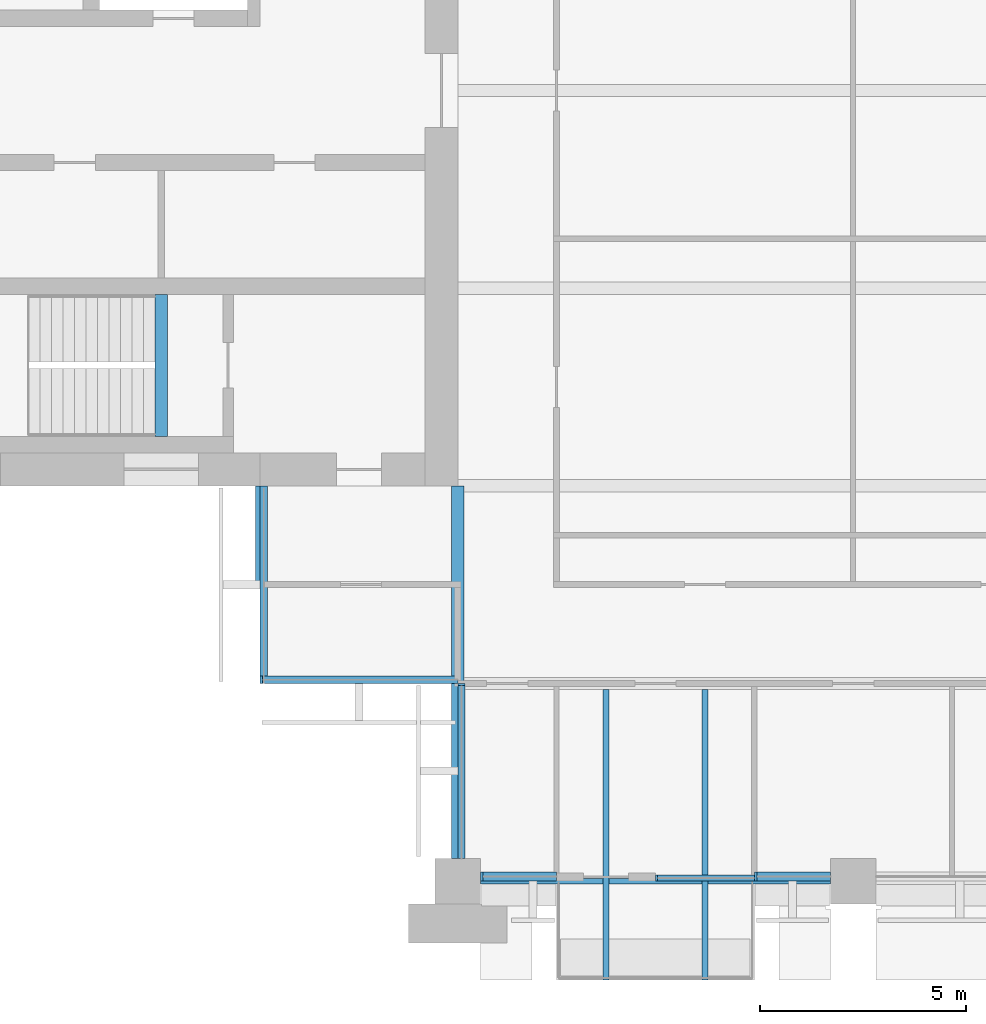
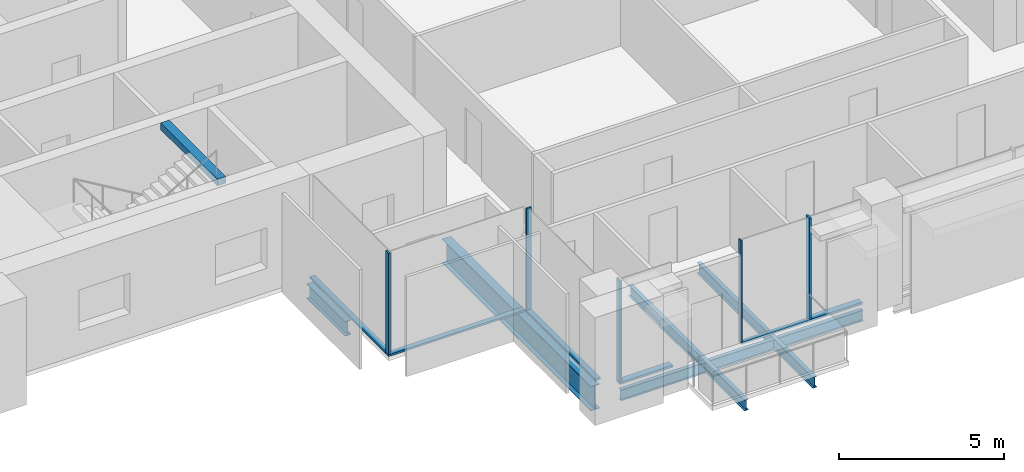
# One storey, part 2 of 14: 11 members, 8 beams, 6 elements without a shape of their own.
"""IFC4 building model written with IfcOpenShell, lengths in metres."""

from ifc_helpers import new_model, si_unit, direction, frame, origin, origin_2d, place, context, subcontext, project, spatial, rectangle, i_section, extrude, material, material_profile, profile_set, type_object, element, aggregate, save


model = new_model("IFC4")

# Units and contexts
model_context = context("Model", 3, precision=1e-05, world=origin(), true_north=direction((0.0, 1.0)))
body_context = subcontext(model_context, "Body", "Model", "MODEL_VIEW")
ifc_project = project(units=[si_unit("LENGTHUNIT", "METRE"), si_unit("AREAUNIT", "SQUARE_METRE"), si_unit("VOLUMEUNIT", "CUBIC_METRE"), si_unit("PLANEANGLEUNIT", "RADIAN"), si_unit("MASSUNIT", "GRAM", prefix="KILO")], contexts=[model_context])

# Site, building, storey
site_placement = place(None, origin())
site = spatial("IfcSite", under=ifc_project, at=site_placement, CompositionType="ELEMENT")
building_placement = place(site_placement, origin())
building = spatial("IfcBuilding", under=site, at=building_placement, Name="Baori Bourse Tower", CompositionType="ELEMENT")
storey_placement = place(building_placement, frame((0.0, 0.0, 233.199951171875)))
storey = spatial("IfcBuildingStorey", under=building, at=storey_placement, Name="L51", CompositionType="ELEMENT", Elevation=233.199951171875)

# Beams
ifc_material_1 = material(Name="Steel A992 Gr 50", Category="steel")
ifc_material_profile_1 = material_profile(ifc_material_1, i_section(OverallWidth=0.140380859375, OverallDepth=0.40380859375, WebThickness=0.007080078125, FlangeThickness=0.01123046875, at=origin_2d()), Name="W16x31")
ifc_profile_set_1 = profile_set([ifc_material_profile_1], Name="Steel A992 Gr 50")
beam_type_1 = type_object("IfcBeamType", Name="Balcony beam W16x31", PredefinedType="BEAM", material=ifc_profile_set_1)
for number, where, z_axis, x_axis, name in (
    (1, (22.800048828125, -2.39990234375, -0.36181640625), (0.0, 1.0, 0.0), (-1.0, 0.0, 0.0), "Balcony beam L51"),
    (2, (25.199951171875, -2.39990234375, -0.36181640625), (0.0, 1.0, 0.0), (-1.0, 0.0, 0.0), "Balcony beam L51"),
):
    element("IfcBeam", number, at=place(storey_placement, frame(where, z_axis=z_axis, x_axis=x_axis)), inside=storey, type_object=beam_type_1, Name=name, PredefinedType="BEAM", context=body_context, shape_type="SweptSolid", body=[
        extrude(i_section(OverallWidth=0.140380859375, OverallDepth=0.40380859375, WebThickness=0.007080078125, FlangeThickness=0.01123046875, at=origin_2d()), origin(), (0.0, 0.0, 1.0), 7.050048828125),
    ])

# Curtain wall, member
ifc_material_2 = material(Name="Pale anodised aluminium", Category="aluminium")
curtain_wall_type_1 = type_object("IfcCurtainWallType", Name="CW2 Curtain wall", PredefinedType="NOTDEFINED", material=ifc_material_2)
curtain_wall_1_placement = place(storey_placement, origin())
curtain_wall_1 = element("IfcCurtainWall", 3, at=curtain_wall_1_placement, inside=storey, type_object=curtain_wall_type_1, Name="Curtain wall CW2 L51 11", PredefinedType="NOTDEFINED")
ifc_material_3 = material(Name="Pale anodised aluminium", Category="aluminium")
ifc_material_profile_2 = material_profile(ifc_material_3, rectangle(XDim=0.179931640625, YDim=0.054931640625, at=origin_2d()), Name="Mullion 55x180")
ifc_profile_set_2 = profile_set([ifc_material_profile_2], Name="Pale anodised aluminium")
member_type_1 = type_object("IfcMemberType", Name="CW2 Curtain wall mullion", PredefinedType="MULLION", material=ifc_profile_set_2)
member_1_placement = place(storey_placement, frame((14.427490234375, 4.889892578125, 0.070068359375), z_axis=(0.0, 0.0, 1.0), x_axis=(0.0, 1.0, 0.0)))
member_1 = element("IfcMember", 4, at=member_1_placement, type_object=member_type_1, Name="Curtain wall CW2 mullion", PredefinedType="MULLION", context=body_context, shape_type="SweptSolid", body=[
    extrude(rectangle(XDim=0.179931640625, YDim=0.054931640625, at=origin_2d()), origin(), (0.0, 0.0, 1.0), 3.77001953125),
])

curtain_wall_2_placement = place(storey_placement, origin())
curtain_wall_2 = element("IfcCurtainWall", 5, at=curtain_wall_2_placement, inside=storey, type_object=curtain_wall_type_1, Name="Curtain wall CW2 L51 12", PredefinedType="NOTDEFINED")
member_2_placement = place(storey_placement, frame((19.2900390625, 4.7724609375, 0.070068359375), z_axis=(0.0, 0.0, 1.0), x_axis=(1.0, 0.0, 0.0)))
member_2 = element("IfcMember", 6, at=member_2_placement, type_object=member_type_1, Name="Curtain wall CW2 mullion", PredefinedType="MULLION", context=body_context, shape_type="SweptSolid", body=[
    extrude(rectangle(XDim=0.179931640625, YDim=0.054931640625, at=origin_2d()), origin(), (0.0, 0.0, 1.0), 3.77001953125),
])

curtain_wall_3_placement = place(storey_placement, origin())
curtain_wall_3 = element("IfcCurtainWall", 7, at=curtain_wall_3_placement, inside=storey, type_object=curtain_wall_type_1, Name="Curtain wall CW2 L51 10", PredefinedType="NOTDEFINED")
ifc_material_4 = material(Name="Pale anodised aluminium", Category="aluminium")
ifc_material_profile_3 = material_profile(ifc_material_4, rectangle(XDim=0.179931640625, YDim=0.070068359375, at=origin_2d()), Name="Transom 70x180")
ifc_profile_set_3 = profile_set([ifc_material_profile_3], Name="Pale anodised aluminium")
member_type_2 = type_object("IfcMemberType", Name="CW2 Curtain wall transom", PredefinedType="USERDEFINED", material=ifc_profile_set_3)
member_3_placement = place(storey_placement, frame((14.489990234375, 9.60009765625, 0.03515625), z_axis=(0.0, -1.0, 0.0), x_axis=(1.0, 0.0, 0.0)))
member_3 = element("IfcMember", 8, at=member_3_placement, type_object=member_type_2, Name="Curtain wall CW2 sill rail", ObjectType="TRANSOM", PredefinedType="USERDEFINED", context=body_context, shape_type="SweptSolid", body=[
    extrude(rectangle(XDim=0.179931640625, YDim=0.070068359375, at=origin_2d()), origin(), (0.0, 0.0, 1.0), 4.800048828125),
])
aggregate(curtain_wall_3, [member_3])

# Member
member_4_placement = place(storey_placement, frame((14.39990234375, 4.889892578125, 0.03515625), z_axis=(1.0, 0.0, 0.0), x_axis=(0.0, 1.0, 0.0)))
member_4 = element("IfcMember", 9, at=member_4_placement, type_object=member_type_2, Name="Curtain wall CW2 sill rail", ObjectType="TRANSOM", PredefinedType="USERDEFINED", context=body_context, shape_type="SweptSolid", body=[
    extrude(rectangle(XDim=0.179931640625, YDim=0.070068359375, at=origin_2d()), origin(), (0.0, 0.0, 1.0), 4.800048828125),
])

aggregate(curtain_wall_1, [member_4, member_1])

member_5_placement = place(storey_placement, frame((19.2900390625, 4.800048828125, 0.03515625), z_axis=(0.0, -1.0, 0.0), x_axis=(1.0, 0.0, 0.0)))
member_5 = element("IfcMember", 10, at=member_5_placement, type_object=member_type_2, Name="Curtain wall CW2 sill rail", ObjectType="TRANSOM", PredefinedType="USERDEFINED", context=body_context, shape_type="SweptSolid", body=[
    extrude(rectangle(XDim=0.179931640625, YDim=0.070068359375, at=origin_2d()), origin(), (0.0, 0.0, 1.0), 4.25),
])

aggregate(curtain_wall_2, [member_5, member_2])

# Curtain wall, member
ifc_material_5 = material(Name="Pale anodised aluminium", Category="aluminium")
curtain_wall_type_2 = type_object("IfcCurtainWallType", Name="CW5 Curtain wall", PredefinedType="NOTDEFINED", material=ifc_material_5)
curtain_wall_4_placement = place(storey_placement, origin())
curtain_wall_4 = element("IfcCurtainWall", 11, at=curtain_wall_4_placement, inside=storey, type_object=curtain_wall_type_2, Name="Curtain wall CW5 L51 13", PredefinedType="NOTDEFINED")
ifc_material_6 = material(Name="Pale anodised aluminium", Category="aluminium")
ifc_material_profile_4 = material_profile(ifc_material_6, rectangle(XDim=0.219970703125, YDim=0.06494140625, at=origin_2d()), Name="Mullion 65x220")
ifc_profile_set_4 = profile_set([ifc_material_profile_4], Name="Pale anodised aluminium")
member_type_3 = type_object("IfcMemberType", Name="CW5 Curtain wall mullion", PredefinedType="MULLION", material=ifc_profile_set_4)
member_6_placement = place(storey_placement, frame((19.782470703125, 0.110107421875, 0.0849609375), z_axis=(0.0, 0.0, 1.0), x_axis=(0.0, 1.0, 0.0)))
member_6 = element("IfcMember", 12, at=member_6_placement, type_object=member_type_3, Name="Curtain wall CW5 mullion", PredefinedType="MULLION", context=body_context, shape_type="SweptSolid", body=[
    extrude(rectangle(XDim=0.219970703125, YDim=0.06494140625, at=origin_2d()), origin(), (0.0, 0.0, 1.0), 3.755126953125),
])

curtain_wall_5_placement = place(storey_placement, origin())
curtain_wall_5 = element("IfcCurtainWall", 13, at=curtain_wall_5_placement, inside=storey, type_object=curtain_wall_type_2, Name="Curtain wall CW5 L51 15", PredefinedType="NOTDEFINED")
member_7_placement = place(storey_placement, frame((26.4326171875, 0.110107421875, 0.0849609375), z_axis=(0.0, 0.0, 1.0), x_axis=(0.0, 1.0, 0.0)))
member_7 = element("IfcMember", 14, at=member_7_placement, type_object=member_type_3, Name="Curtain wall CW5 mullion", PredefinedType="MULLION", context=body_context, shape_type="SweptSolid", body=[
    extrude(rectangle(XDim=0.219970703125, YDim=0.06494140625, at=origin_2d()), origin(), (0.0, 0.0, 1.0), 3.755126953125),
])

# Member
ifc_material_7 = material(Name="Pale anodised aluminium", Category="aluminium")
ifc_material_profile_5 = material_profile(ifc_material_7, rectangle(XDim=0.219970703125, YDim=0.0849609375, at=origin_2d()), Name="Transom 85x220")
ifc_profile_set_5 = profile_set([ifc_material_profile_5], Name="Pale anodised aluminium")
member_type_4 = type_object("IfcMemberType", Name="CW5 Curtain wall transom", PredefinedType="USERDEFINED", material=ifc_profile_set_5)
member_8_placement = place(storey_placement, frame((19.75, 0.110107421875, 0.04248046875), z_axis=(1.0, 0.0, 0.0), x_axis=(0.0, 1.0, 0.0)))
member_8 = element("IfcMember", 15, at=member_8_placement, type_object=member_type_4, Name="Curtain wall CW5 sill rail", ObjectType="TRANSOM", PredefinedType="USERDEFINED", context=body_context, shape_type="SweptSolid", body=[
    extrude(rectangle(XDim=0.219970703125, YDim=0.0849609375, at=origin_2d()), origin(), (0.0, 0.0, 1.0), 1.85009765625),
])

aggregate(curtain_wall_4, [member_8, member_6])

member_9_placement = place(storey_placement, frame((26.39990234375, 0.110107421875, 0.04248046875), z_axis=(1.0, 0.0, 0.0), x_axis=(0.0, 1.0, 0.0)))
member_9 = element("IfcMember", 16, at=member_9_placement, type_object=member_type_4, Name="Curtain wall CW5 sill rail", ObjectType="TRANSOM", PredefinedType="USERDEFINED", context=body_context, shape_type="SweptSolid", body=[
    extrude(rectangle(XDim=0.219970703125, YDim=0.0849609375, at=origin_2d()), origin(), (0.0, 0.0, 1.0), 1.85009765625),
])

aggregate(curtain_wall_5, [member_9, member_7])

# Curtain wall, members
ifc_material_8 = material(Name="Pale anodised aluminium", Category="aluminium")
curtain_wall_type_3 = type_object("IfcCurtainWallType", Name="CW6 Curtain wall", PredefinedType="NOTDEFINED", material=ifc_material_8)
curtain_wall_6_placement = place(storey_placement, origin())
curtain_wall_6 = element("IfcCurtainWall", 17, at=curtain_wall_6_placement, inside=storey, type_object=curtain_wall_type_3, Name="Curtain wall CW6 L51 14", PredefinedType="NOTDEFINED")
ifc_material_9 = material(Name="Pale anodised aluminium", Category="aluminium")
ifc_material_profile_6 = material_profile(ifc_material_9, rectangle(XDim=0.14990234375, YDim=0.050048828125, at=origin_2d()), Name="Mullion 50x150")
ifc_profile_set_6 = profile_set([ifc_material_profile_6], Name="Pale anodised aluminium")
member_type_5 = type_object("IfcMemberType", Name="CW6 Curtain wall mullion", PredefinedType="MULLION", material=ifc_profile_set_6)
member_10_placement = place(storey_placement, frame((24.02490234375, 0.074951171875, 0.06494140625), z_axis=(0.0, 0.0, 1.0), x_axis=(0.0, 1.0, 0.0)))
member_10 = element("IfcMember", 18, at=member_10_placement, type_object=member_type_5, Name="Curtain wall CW6 mullion", PredefinedType="MULLION", context=body_context, shape_type="SweptSolid", body=[
    extrude(rectangle(XDim=0.14990234375, YDim=0.050048828125, at=origin_2d()), origin(), (0.0, 0.0, 1.0), 3.775146484375),
])
ifc_material_10 = material(Name="Pale anodised aluminium", Category="aluminium")
ifc_material_profile_7 = material_profile(ifc_material_10, rectangle(XDim=0.14990234375, YDim=0.06494140625, at=origin_2d()), Name="Transom 65x150")
ifc_profile_set_7 = profile_set([ifc_material_profile_7], Name="Pale anodised aluminium")
member_type_6 = type_object("IfcMemberType", Name="CW6 Curtain wall transom", PredefinedType="USERDEFINED", material=ifc_profile_set_7)
member_11_placement = place(storey_placement, frame((24.0, 0.074951171875, 0.032470703125), z_axis=(1.0, 0.0, 0.0), x_axis=(0.0, 1.0, 0.0)))
member_11 = element("IfcMember", 19, at=member_11_placement, type_object=member_type_6, Name="Curtain wall CW6 sill rail", ObjectType="TRANSOM", PredefinedType="USERDEFINED", context=body_context, shape_type="SweptSolid", body=[
    extrude(rectangle(XDim=0.14990234375, YDim=0.06494140625, at=origin_2d()), origin(), (0.0, 0.0, 1.0), 2.39990234375),
])
aggregate(curtain_wall_6, [member_11, member_10])

# Beams
ifc_material_11 = material(Name="Steel A992 Gr 50", Category="steel")
ifc_material_profile_8 = material_profile(ifc_material_11, i_section(OverallWidth=0.21240234375, OverallDepth=0.54345703125, WebThickness=0.01318359375, FlangeThickness=0.021240234375, at=origin_2d()), Name="W21x83")
ifc_profile_set_8 = profile_set([ifc_material_profile_8], Name="Steel A992 Gr 50")
beam_type_2 = type_object("IfcBeamType", Name="Core bracket W21x83", PredefinedType="BEAM", material=ifc_profile_set_8)
beam_1_placement = place(storey_placement, frame((14.39990234375, 7.270263671875, -0.431640625), z_axis=(0.0, 1.0, 0.0), x_axis=(-1.0, 0.0, 0.0)))
element("IfcBeam", 20, at=beam_1_placement, inside=storey, type_object=beam_type_2, Name="Core bracket L51", PredefinedType="BEAM", context=body_context, shape_type="SweptSolid", body=[
    extrude(i_section(OverallWidth=0.21240234375, OverallDepth=0.54345703125, WebThickness=0.01318359375, FlangeThickness=0.021240234375, at=origin_2d()), origin(), (0.0, 0.0, 1.0), 2.329833984375),
])
ifc_material_12 = material(Name="Steel A992 Gr 50", Category="steel")
ifc_material_profile_9 = material_profile(ifc_material_12, i_section(OverallWidth=0.140380859375, OverallDepth=0.40380859375, WebThickness=0.007080078125, FlangeThickness=0.01123046875, at=origin_2d()), Name="W16x31")
ifc_profile_set_9 = profile_set([ifc_material_profile_9], Name="Steel A992 Gr 50")
beam_type_3 = type_object("IfcBeamType", Name="Edge beam W16x31", PredefinedType="BEAM", material=ifc_profile_set_9)
beam_2_placement = place(storey_placement, frame((19.75, 0.0, -0.36181640625), z_axis=(1.0, 0.0, 0.0), x_axis=(0.0, 1.0, 0.0)))
element("IfcBeam", 21, at=beam_2_placement, inside=storey, type_object=beam_type_3, Name="Edge beam L51", PredefinedType="BEAM", context=body_context, shape_type="SweptSolid", body=[
    extrude(i_section(OverallWidth=0.140380859375, OverallDepth=0.40380859375, WebThickness=0.007080078125, FlangeThickness=0.01123046875, at=origin_2d()), origin(), (0.0, 0.0, 1.0), 2.979736328125),
])
beam_3_placement = place(storey_placement, frame((22.8701171875, 0.0, -0.36181640625), z_axis=(1.0, 0.0, 0.0), x_axis=(0.0, 1.0, 0.0)))
element("IfcBeam", 22, at=beam_3_placement, inside=storey, type_object=beam_type_3, Name="Edge beam L51", PredefinedType="BEAM", context=body_context, shape_type="SweptSolid", body=[
    extrude(i_section(OverallWidth=0.140380859375, OverallDepth=0.40380859375, WebThickness=0.007080078125, FlangeThickness=0.01123046875, at=origin_2d()), origin(), (0.0, 0.0, 1.0), 2.259765625),
])
beam_4_placement = place(storey_placement, frame((25.270263671875, 0.0, -0.36181640625), z_axis=(1.0, 0.0, 0.0), x_axis=(0.0, 1.0, 0.0)))
element("IfcBeam", 23, at=beam_4_placement, inside=storey, type_object=beam_type_3, Name="Edge beam L51", PredefinedType="BEAM", context=body_context, shape_type="SweptSolid", body=[
    extrude(i_section(OverallWidth=0.140380859375, OverallDepth=0.40380859375, WebThickness=0.007080078125, FlangeThickness=0.01123046875, at=origin_2d()), origin(), (0.0, 0.0, 1.0), 2.979736328125),
])
ifc_material_13 = material(Name="Steel A992 Gr 50", Category="steel")
ifc_material_profile_10 = material_profile(ifc_material_13, i_section(OverallWidth=0.3046875, OverallDepth=0.904296875, WebThickness=0.01513671875, FlangeThickness=0.02001953125, at=origin_2d()), Name="W36x135")
ifc_profile_set_10 = profile_set([ifc_material_profile_10], Name="Steel A992 Gr 50")
beam_type_4 = type_object("IfcBeamType", Name="Girder W36x135", PredefinedType="BEAM", material=ifc_profile_set_10)
beam_5_placement = place(storey_placement, frame((19.199951171875, 0.550048828125, -0.612060546875), z_axis=(0.0, 1.0, 0.0), x_axis=(-1.0, 0.0, 0.0)))
element("IfcBeam", 24, at=beam_5_placement, inside=storey, type_object=beam_type_4, Name="Girder L51", PredefinedType="BEAM", context=body_context, shape_type="SweptSolid", body=[
    extrude(i_section(OverallWidth=0.3046875, OverallDepth=0.904296875, WebThickness=0.01513671875, FlangeThickness=0.02001953125, at=origin_2d()), origin(), (0.0, 0.0, 1.0), 9.050048828125),
])
ifc_material_14 = material(Name="Concrete f'c 50 MPa", Category="concrete")
ifc_material_profile_11 = material_profile(ifc_material_14, rectangle(XDim=0.300048828125, YDim=0.25, at=origin_2d()), Name="RC 300x250")
ifc_profile_set_11 = profile_set([ifc_material_profile_11], Name="Concrete f'c 50 MPa")
beam_type_5 = type_object("IfcBeamType", Name="Stair nib beam RC 300x250", PredefinedType="BEAM", material=ifc_profile_set_11)
beam_6_placement = place(storey_placement, frame((12.0, 10.800048828125, 3.715087890625), z_axis=(0.0, 1.0, 0.0), x_axis=(-1.0, 0.0, 0.0)))
element("IfcBeam", 25, at=beam_6_placement, inside=storey, type_object=beam_type_5, Name="Stair WA nib beam L52", PredefinedType="BEAM", context=body_context, shape_type="SweptSolid", body=[
    extrude(rectangle(XDim=0.300048828125, YDim=0.25, at=origin_2d()), origin(), (0.0, 0.0, 1.0), 3.449951171875),
])

save(model, "model.ifc")
